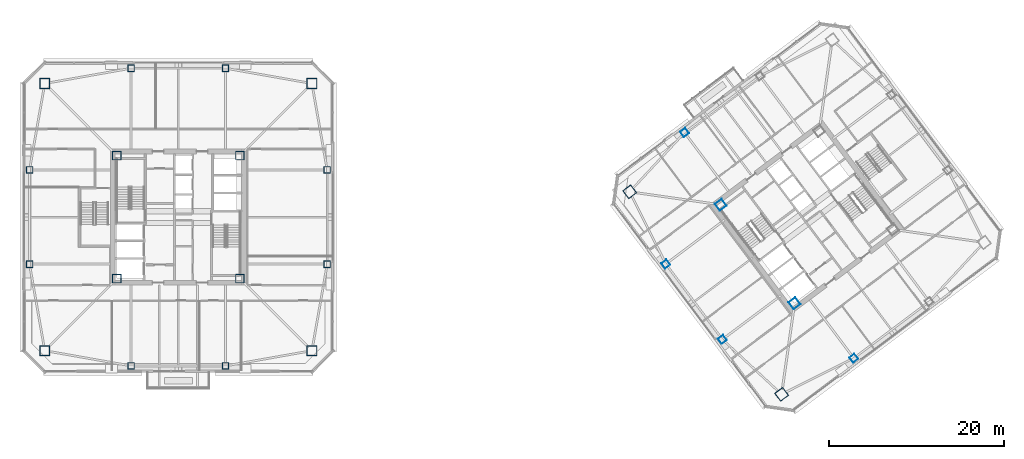
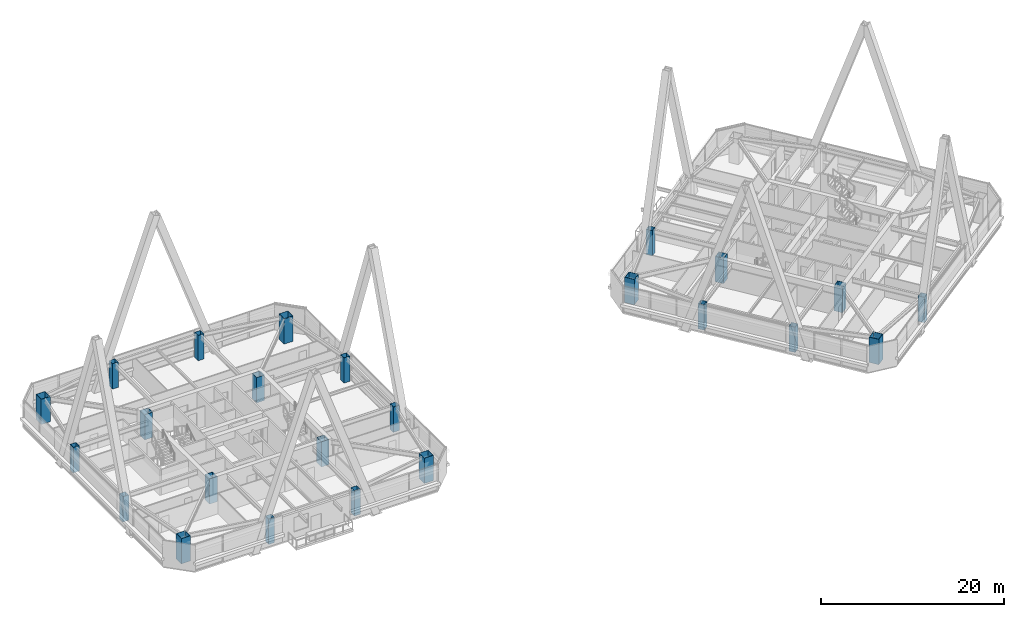
# One storey, part 1 of 55: 24 columns.
"""IFC4 building model written with IfcOpenShell, lengths in metres."""

from ifc_helpers import new_model, si_unit, direction, frame, origin, origin_2d, place, context, subcontext, project, spatial, hollow_rectangle, extrude, material, material_profile, profile_set, type_object, element, save


model = new_model("IFC4")

# Units and contexts
model_context = context("Model", 3, precision=1e-05, world=origin(), true_north=direction((0.0, 1.0)))
body_context = subcontext(model_context, "Body", "Model", "MODEL_VIEW")
ifc_project = project(units=[si_unit("LENGTHUNIT", "METRE"), si_unit("AREAUNIT", "SQUARE_METRE"), si_unit("VOLUMEUNIT", "CUBIC_METRE"), si_unit("PLANEANGLEUNIT", "RADIAN"), si_unit("MASSUNIT", "GRAM", prefix="KILO")], contexts=[model_context])

# Site, building, storey
site_placement = place(None, origin())
site = spatial("IfcSite", under=ifc_project, at=site_placement, CompositionType="ELEMENT")
building_placement = place(site_placement, origin())
building = spatial("IfcBuilding", under=site, at=building_placement, Name="Tashvorn Skyway Center", CompositionType="ELEMENT")
storey_placement = place(building_placement, frame((0.0, 0.0, 178.300048828125)))
storey = spatial("IfcBuildingStorey", under=building, at=storey_placement, Name="L48", CompositionType="ELEMENT", Elevation=178.300048828125)

# Columns
ifc_material = material(Name="Steel ASTM A572 Grade 50", Category="steel")
ifc_material_profile_1 = material_profile(ifc_material, hollow_rectangle(XDim=1.0, YDim=1.0, WallThickness=0.0400390625, at=origin_2d()), Name="BOX1000x1000x40")
ifc_profile_set_1 = profile_set([ifc_material_profile_1], Name="Steel ASTM A572 Grade 50")
column_type_1 = type_object("IfcColumnType", Name="COL-BOX1000x1000x40", PredefinedType="COLUMN", material=ifc_profile_set_1)
for number, where, z_axis, x_axis, name in (
    (1, (34.949951171875, 24.949951171875, 0.0), (0.0, 0.0, 1.0), (1.0, 0.0, 0.0), "Tower 1 L48 Core Corner Column CC-SW"),
    (2, (49.050048828125, 24.949951171875, 0.0), (0.0, 0.0, 1.0), (1.0, 0.0, 0.0), "Tower 1 L48 Core Corner Column CC-SE"),
    (3, (49.050048828125, 39.050048828125, 0.0), (0.0, 0.0, 1.0), (1.0, 0.0, 0.0), "Tower 1 L48 Core Corner Column CC-NE"),
    (4, (34.949951171875, 39.050048828125, 0.0), (0.0, 0.0, 1.0), (1.0, 0.0, 0.0), "Tower 1 L48 Core Corner Column CC-NW"),
    (5, (112.590087890625, 22.1298828125, 0.0), (0.0, 0.0, 1.0), (0.799999996291, 0.600000004945, 0.0), "Tower 2 L48 Core Corner Column CC-SW"),
    (6, (104.1298828125, 33.409912109375, 0.0), (0.0, 0.0, 1.0), (0.799999996291, 0.600000004945, 0.0), "Tower 2 L48 Core Corner Column CC-NW"),
):
    element("IfcColumn", number, at=place(storey_placement, frame(where, z_axis=z_axis, x_axis=x_axis)), inside=storey, type_object=column_type_1, Name=name, PredefinedType="COLUMN", context=body_context, shape_type="SweptSolid", body=[
        extrude(hollow_rectangle(XDim=1.0, YDim=1.0, WallThickness=0.0400390625, at=origin_2d()), origin(), (0.0, 0.0, 1.0), 3.369873046875),
    ])
ifc_material_profile_2 = material_profile(ifc_material, hollow_rectangle(XDim=1.14990234375, YDim=1.14990234375, WallThickness=0.044921875, at=origin_2d()), Name="BOX1150x1150x45")
ifc_profile_set_2 = profile_set([ifc_material_profile_2], Name="Steel ASTM A572 Grade 50")
column_type_2 = type_object("IfcColumnType", Name="COL-BOX1150x1150x45", PredefinedType="COLUMN", material=ifc_profile_set_2)
for number, where, z_axis, x_axis, name in (
    (7, (26.699951171875, 16.699951171875, 0.0), (0.0, 0.0, 1.0), (1.0, 0.0, 0.0), "Tower 1 L48 Mega-Column MC-SW"),
    (8, (57.300048828125, 16.699951171875, 0.0), (0.0, 0.0, 1.0), (1.0, 0.0, 0.0), "Tower 1 L48 Mega-Column MC-SE"),
    (9, (57.300048828125, 47.300048828125, 0.0), (0.0, 0.0, 1.0), (1.0, 0.0, 0.0), "Tower 1 L48 Mega-Column MC-NE"),
    (10, (26.699951171875, 47.300048828125, 0.0), (0.0, 0.0, 1.0), (1.0, 0.0, 0.0), "Tower 1 L48 Mega-Column MC-NW"),
    (11, (111.10009765625, 11.699951171875, 0.0), (0.0, 0.0, 1.0), (0.799999996291, 0.600000004945, 0.0), "Tower 2 L48 Mega-Column MC-SW"),
    (12, (93.699951171875, 34.89990234375, 0.0), (0.0, 0.0, 1.0), (0.799999996291, 0.600000004945, 0.0), "Tower 2 L48 Mega-Column MC-NW"),
):
    element("IfcColumn", number, at=place(storey_placement, frame(where, z_axis=z_axis, x_axis=x_axis)), inside=storey, type_object=column_type_2, Name=name, PredefinedType="COLUMN", context=body_context, shape_type="SweptSolid", body=[
        extrude(hollow_rectangle(XDim=1.14990234375, YDim=1.14990234375, WallThickness=0.044921875, at=origin_2d()), origin(), (0.0, 0.0, 1.0), 3.369873046875),
    ])
ifc_material_profile_3 = material_profile(ifc_material, hollow_rectangle(XDim=0.75, YDim=0.75, WallThickness=0.031982421875, at=origin_2d()), Name="BOX750x750x32")
ifc_profile_set_3 = profile_set([ifc_material_profile_3], Name="Steel ASTM A572 Grade 50")
column_type_3 = type_object("IfcColumnType", Name="COL-BOX750x750x32", PredefinedType="COLUMN", material=ifc_profile_set_3)
for number, where, z_axis, x_axis, name in (
    (13, (36.60009765625, 14.949951171875, 0.0), (0.0, 0.0, 1.0), (1.0, 0.0, 0.0), "Tower 1 L48 Perimeter Column FC-S1"),
    (14, (47.39990234375, 14.949951171875, 0.0), (0.0, 0.0, 1.0), (1.0, 0.0, 0.0), "Tower 1 L48 Perimeter Column FC-S2"),
    (15, (59.050048828125, 26.60009765625, 0.0), (0.0, 0.0, 1.0), (1.0, 0.0, 0.0), "Tower 1 L48 Perimeter Column FC-E1"),
    (16, (59.050048828125, 37.39990234375, 0.0), (0.0, 0.0, 1.0), (1.0, 0.0, 0.0), "Tower 1 L48 Perimeter Column FC-E2"),
    (17, (47.39990234375, 49.050048828125, 0.0), (0.0, 0.0, 1.0), (1.0, 0.0, 0.0), "Tower 1 L48 Perimeter Column FC-N1"),
    (18, (36.60009765625, 49.050048828125, 0.0), (0.0, 0.0, 1.0), (1.0, 0.0, 0.0), "Tower 1 L48 Perimeter Column FC-N2"),
    (19, (24.949951171875, 37.39990234375, 0.0), (0.0, 0.0, 1.0), (1.0, 0.0, 0.0), "Tower 1 L48 Perimeter Column FC-W1"),
    (20, (24.949951171875, 26.60009765625, 0.0), (0.0, 0.0, 1.0), (1.0, 0.0, 0.0), "Tower 1 L48 Perimeter Column FC-W2"),
    (21, (119.3701171875, 15.840087890625, 0.0), (0.0, 0.0, 1.0), (0.799999996291, 0.600000004945, 0.0), "Tower 2 L48 Perimeter Column FC-S1"),
    (22, (99.989990234375, 41.679931640625, 0.0), (0.0, 0.0, 1.0), (0.799999996291, 0.600000004945, 0.0), "Tower 2 L48 Perimeter Column FC-N2"),
    (23, (97.840087890625, 26.6298828125, 0.0), (0.0, 0.0, 1.0), (0.799999996291, 0.600000004945, 0.0), "Tower 2 L48 Perimeter Column FC-W1"),
    (24, (104.320068359375, 17.989990234375, 0.0), (0.0, 0.0, 1.0), (0.799999996291, 0.600000004945, 0.0), "Tower 2 L48 Perimeter Column FC-W2"),
):
    element("IfcColumn", number, at=place(storey_placement, frame(where, z_axis=z_axis, x_axis=x_axis)), inside=storey, type_object=column_type_3, Name=name, PredefinedType="COLUMN", context=body_context, shape_type="SweptSolid", body=[
        extrude(hollow_rectangle(XDim=0.75, YDim=0.75, WallThickness=0.031982421875, at=origin_2d()), origin(), (0.0, 0.0, 1.0), 3.369873046875),
    ])

save(model, "model.ifc")
